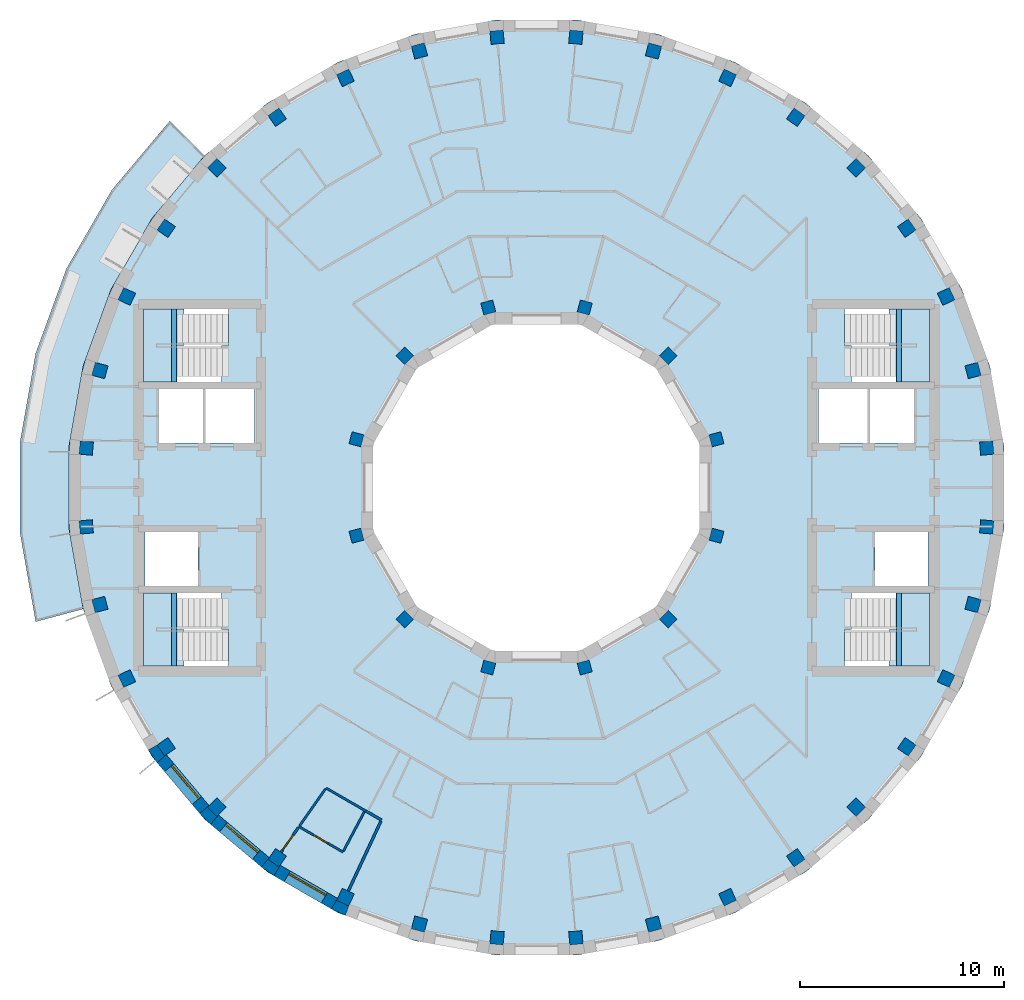
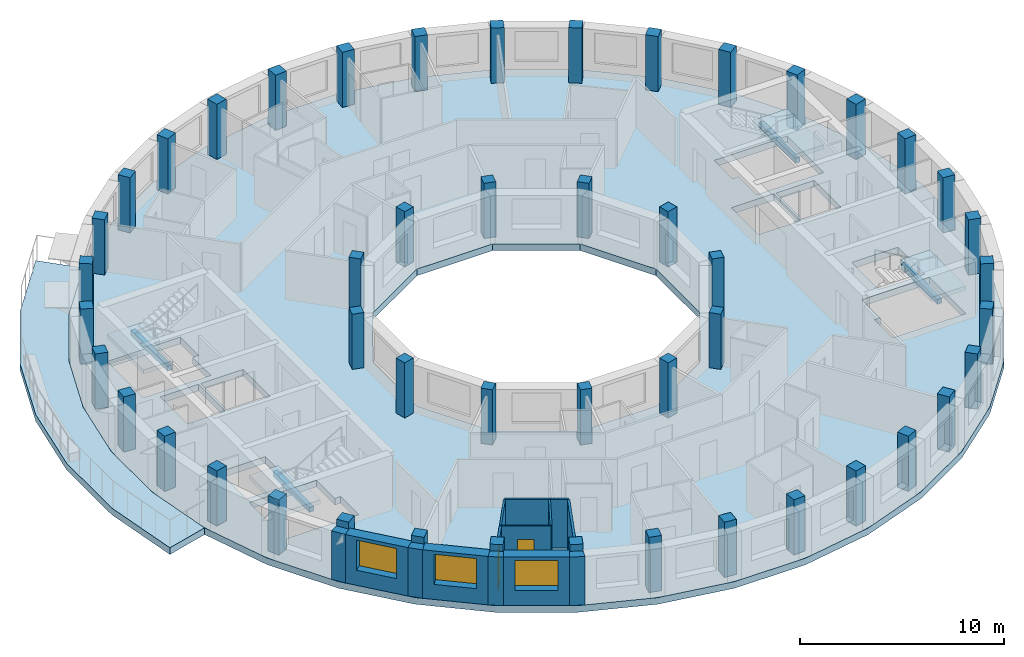
# One storey, part 1 of 10: 48 columns, 14 walls, 6 slabs, 4 beams, 3 windows, 2 doors, 5 openings, 4 elements without a shape of their own.
"""IFC4 building model written with IfcOpenShell, lengths in metres."""

from ifc_helpers import new_model, si_unit, direction, frame, frame_2d, origin, origin_2d, place, context, subcontext, project, spatial, polyline, rectangle, outline, extrude, material, layer, layer_set, material_profile, profile_set, type_object, element, fill, aggregate, save


model = new_model("IFC4")

# Units and contexts
model_context = context("Model", 3, precision=1e-05, world=origin(), true_north=direction((0.0, 1.0)))
body_context = subcontext(model_context, "Body", "Model", "MODEL_VIEW")
ifc_project = project(units=[si_unit("LENGTHUNIT", "METRE"), si_unit("AREAUNIT", "SQUARE_METRE"), si_unit("VOLUMEUNIT", "CUBIC_METRE"), si_unit("PLANEANGLEUNIT", "RADIAN"), si_unit("MASSUNIT", "GRAM", prefix="KILO")], contexts=[model_context])

# Site, building, storey
site_placement = place(None, origin())
site = spatial("IfcSite", under=ifc_project, at=site_placement, CompositionType="ELEMENT")
building_placement = place(site_placement, origin())
building = spatial("IfcBuilding", under=site, at=building_placement, Name="Saqina Gate Tower", CompositionType="ELEMENT")
storey_placement = place(building_placement, frame((0.0, 0.0, 246.199951171875)))
storey = spatial("IfcBuildingStorey", under=building, at=storey_placement, Name="L70", CompositionType="ELEMENT", Elevation=246.199951171875)

# Columns
ifc_material_1 = material(Name="Concrete C60/75", Category="concrete")
ifc_material_profile_1 = material_profile(ifc_material_1, rectangle(XDim=0.60009765625, YDim=0.60009765625, at=origin_2d()), Name="RC 600x600")
ifc_profile_set_1 = profile_set([ifc_material_profile_1], Name="Concrete C60/75")
column_type_1 = type_object("IfcColumnType", Name="STR-COL-IN-D", PredefinedType="COLUMN", material=ifc_profile_set_1)
for number, where, z_axis, x_axis, name in (
    (1, (8.821044921875, 2.363525390625, 0.0), (0.0, 0.0, 1.0), (0.965925826289, 0.258819045103, 0.0), "L70-ICL01"),
    (2, (6.45751953125, 6.45751953125, 0.0), (0.0, 0.0, 1.0), (0.707106781187, 0.707106781187, 0.0), "L70-ICL02"),
    (3, (2.363525390625, 8.821044921875, 0.0), (0.0, 0.0, 1.0), (0.258819045103, 0.965925826289, 0.0), "L70-ICL03"),
    (4, (-2.363525390625, 8.821044921875, 0.0), (0.0, 0.0, 1.0), (-0.258819045103, 0.965925826289, 0.0), "L70-ICL04"),
    (5, (-6.45751953125, 6.45751953125, 0.0), (0.0, 0.0, 1.0), (-0.707106781187, 0.707106781187, 0.0), "L70-ICL05"),
    (6, (-8.821044921875, 2.363525390625, 0.0), (0.0, 0.0, 1.0), (-0.965925826289, 0.258819045103, 0.0), "L70-ICL06"),
    (7, (-8.821044921875, -2.363525390625, 0.0), (0.0, 0.0, 1.0), (-0.965925826289, -0.258819045103, 0.0), "L70-ICL07"),
    (8, (-6.45751953125, -6.45751953125, 0.0), (0.0, 0.0, 1.0), (-0.707106781187, -0.707106781187, 0.0), "L70-ICL08"),
    (9, (-2.363525390625, -8.821044921875, 0.0), (0.0, 0.0, 1.0), (-0.258819045103, -0.965925826289, 0.0), "L70-ICL09"),
    (10, (2.363525390625, -8.821044921875, 0.0), (0.0, 0.0, 1.0), (0.258819045103, -0.965925826289, 0.0), "L70-ICL10"),
    (11, (6.45751953125, -6.45751953125, 0.0), (0.0, 0.0, 1.0), (0.707106781187, -0.707106781187, 0.0), "L70-ICL11"),
    (12, (8.821044921875, -2.363525390625, 0.0), (0.0, 0.0, 1.0), (0.965925826289, -0.258819045103, 0.0), "L70-ICL12"),
):
    element("IfcColumn", number, at=place(storey_placement, frame(where, z_axis=z_axis, x_axis=x_axis)), inside=storey, type_object=column_type_1, Name=name, PredefinedType="COLUMN", context=body_context, shape_type="SweptSolid", body=[
        extrude(rectangle(XDim=0.60009765625, YDim=0.60009765625, at=origin_2d()), origin(), (0.0, 0.0, 1.0), 3.300048828125),
    ])
ifc_material_2 = material(Name="Concrete C60/75", Category="concrete")
ifc_material_profile_2 = material_profile(ifc_material_2, rectangle(XDim=0.64990234375, YDim=0.64990234375, at=origin_2d()), Name="RC 650x650")
ifc_profile_set_2 = profile_set([ifc_material_profile_2], Name="Concrete C60/75")
column_type_2 = type_object("IfcColumnType", Name="STR-COL-OUT-D", PredefinedType="COLUMN", material=ifc_profile_set_2)
for number, where, z_axis, x_axis, name in (
    (13, (22.065673828125, 1.930419921875, 0.0), (0.0, 0.0, 1.0), (0.996194698092, 0.087155742748, 0.0), "L70-COL01"),
    (14, (21.395263671875, 5.73291015625, 0.0), (0.0, 0.0, 1.0), (0.965925826289, 0.258819045103, 0.0), "L70-COL02"),
    (15, (20.07470703125, 9.361083984375, 0.0), (0.0, 0.0, 1.0), (0.906307787037, 0.422618261741, 0.0), "L70-COL03"),
    (16, (18.144287109375, 12.704833984375, 0.0), (0.0, 0.0, 1.0), (0.819152044289, 0.573576436351, 0.0), "L70-COL04"),
    (17, (15.662353515625, 15.662353515625, 0.0), (0.0, 0.0, 1.0), (0.707106781187, 0.707106781187, 0.0), "L70-COL05"),
    (18, (12.704833984375, 18.144287109375, 0.0), (0.0, 0.0, 1.0), (0.573576436351, 0.819152044289, 0.0), "L70-COL06"),
    (19, (9.361083984375, 20.07470703125, 0.0), (0.0, 0.0, 1.0), (0.422618261741, 0.906307787037, 0.0), "L70-COL07"),
    (20, (5.73291015625, 21.395263671875, 0.0), (0.0, 0.0, 1.0), (0.258819045103, 0.965925826289, 0.0), "L70-COL08"),
    (21, (1.930419921875, 22.065673828125, 0.0), (0.0, 0.0, 1.0), (0.087155742748, 0.996194698092, 0.0), "L70-COL09"),
    (22, (-1.930419921875, 22.065673828125, 0.0), (0.0, 0.0, 1.0), (-0.087155742748, 0.996194698092, 0.0), "L70-COL10"),
    (23, (-5.73291015625, 21.395263671875, 0.0), (0.0, 0.0, 1.0), (-0.258819045103, 0.965925826289, 0.0), "L70-COL11"),
    (24, (-9.361083984375, 20.07470703125, 0.0), (0.0, 0.0, 1.0), (-0.422618261741, 0.906307787037, 0.0), "L70-COL12"),
    (25, (-12.704833984375, 18.144287109375, 0.0), (0.0, 0.0, 1.0), (-0.573576436351, 0.819152044289, 0.0), "L70-COL13"),
    (26, (-15.662353515625, 15.662353515625, 0.0), (0.0, 0.0, 1.0), (-0.707106781187, 0.707106781187, 0.0), "L70-COL14"),
    (27, (-18.144287109375, 12.704833984375, 0.0), (0.0, 0.0, 1.0), (-0.819152044289, 0.573576436351, 0.0), "L70-COL15"),
    (28, (-20.07470703125, 9.361083984375, 0.0), (0.0, 0.0, 1.0), (-0.906307787037, 0.422618261741, 0.0), "L70-COL16"),
    (29, (-21.395263671875, 5.73291015625, 0.0), (0.0, 0.0, 1.0), (-0.965925826289, 0.258819045103, 0.0), "L70-COL17"),
    (30, (-22.065673828125, 1.930419921875, 0.0), (0.0, 0.0, 1.0), (-0.996194698092, 0.087155742748, 0.0), "L70-COL18"),
    (31, (-22.065673828125, -1.930419921875, 0.0), (0.0, 0.0, 1.0), (-0.996194698092, -0.087155742748, 0.0), "L70-COL19"),
    (32, (-21.395263671875, -5.73291015625, 0.0), (0.0, 0.0, 1.0), (-0.965925826289, -0.258819045103, 0.0), "L70-COL20"),
    (33, (-20.07470703125, -9.361083984375, 0.0), (0.0, 0.0, 1.0), (-0.906307787037, -0.422618261741, 0.0), "L70-COL21"),
    (34, (-18.144287109375, -12.704833984375, 0.0), (0.0, 0.0, 1.0), (-0.819152044289, -0.573576436351, 0.0), "L70-COL22"),
    (35, (-15.662353515625, -15.662353515625, 0.0), (0.0, 0.0, 1.0), (-0.707106781187, -0.707106781187, 0.0), "L70-COL23"),
    (36, (-12.704833984375, -18.144287109375, 0.0), (0.0, 0.0, 1.0), (-0.573576436351, -0.819152044289, 0.0), "L70-COL24"),
    (37, (-9.361083984375, -20.07470703125, 0.0), (0.0, 0.0, 1.0), (-0.422618261741, -0.906307787037, 0.0), "L70-COL25"),
    (38, (-5.73291015625, -21.395263671875, 0.0), (0.0, 0.0, 1.0), (-0.258819045103, -0.965925826289, 0.0), "L70-COL26"),
    (39, (-1.930419921875, -22.065673828125, 0.0), (0.0, 0.0, 1.0), (-0.087155742748, -0.996194698092, 0.0), "L70-COL27"),
    (40, (1.930419921875, -22.065673828125, 0.0), (0.0, 0.0, 1.0), (0.087155742748, -0.996194698092, 0.0), "L70-COL28"),
    (41, (5.73291015625, -21.395263671875, 0.0), (0.0, 0.0, 1.0), (0.258819045103, -0.965925826289, 0.0), "L70-COL29"),
    (42, (9.361083984375, -20.07470703125, 0.0), (0.0, 0.0, 1.0), (0.422618261741, -0.906307787037, 0.0), "L70-COL30"),
    (43, (12.704833984375, -18.144287109375, 0.0), (0.0, 0.0, 1.0), (0.573576436351, -0.819152044289, 0.0), "L70-COL31"),
    (44, (15.662353515625, -15.662353515625, 0.0), (0.0, 0.0, 1.0), (0.707106781187, -0.707106781187, 0.0), "L70-COL32"),
    (45, (18.144287109375, -12.704833984375, 0.0), (0.0, 0.0, 1.0), (0.819152044289, -0.573576436351, 0.0), "L70-COL33"),
    (46, (20.07470703125, -9.361083984375, 0.0), (0.0, 0.0, 1.0), (0.906307787037, -0.422618261741, 0.0), "L70-COL34"),
    (47, (21.395263671875, -5.73291015625, 0.0), (0.0, 0.0, 1.0), (0.965925826289, -0.258819045103, 0.0), "L70-COL35"),
    (48, (22.065673828125, -1.930419921875, 0.0), (0.0, 0.0, 1.0), (0.996194698092, -0.087155742748, 0.0), "L70-COL36"),
):
    element("IfcColumn", number, at=place(storey_placement, frame(where, z_axis=z_axis, x_axis=x_axis)), inside=storey, type_object=column_type_2, Name=name, PredefinedType="COLUMN", context=body_context, shape_type="SweptSolid", body=[
        extrude(rectangle(XDim=0.64990234375, YDim=0.64990234375, at=origin_2d()), origin(), (0.0, 0.0, 1.0), 3.300048828125),
    ])

# Beams
ifc_material_3 = material(Name="Concrete C40/50", Category="concrete")
ifc_material_profile_3 = material_profile(ifc_material_3, rectangle(XDim=0.25, YDim=0.300048828125, at=origin_2d()), Name="STAIR LANDING BEAM")
ifc_profile_set_3 = profile_set([ifc_material_profile_3], Name="Concrete C40/50")
beam_type = type_object("IfcBeamType", Name="STAIR LANDING BEAM", PredefinedType="BEAM", material=ifc_profile_set_3)
for number, where, z_axis, x_axis, name in (
    (49, (17.77001953125, 5.175048828125, 1.25), (0.0, 1.0, 0.0), (-1.0, 0.0, 0.0), "EXIT STAIR 1 LANDING BEAM"),
    (50, (17.77001953125, -8.75, 1.25), (0.0, 1.0, 0.0), (-1.0, 0.0, 0.0), "EXIT STAIR 2 LANDING BEAM"),
    (51, (-17.77001953125, 5.175048828125, 1.25), (0.0, 1.0, 0.0), (-1.0, 0.0, 0.0), "EXIT STAIR 3 LANDING BEAM"),
    (52, (-17.77001953125, -8.75, 1.25), (0.0, 1.0, 0.0), (-1.0, 0.0, 0.0), "EXIT STAIR 4 LANDING BEAM"),
):
    element("IfcBeam", number, at=place(storey_placement, frame(where, z_axis=z_axis, x_axis=x_axis)), inside=storey, type_object=beam_type, Name=name, PredefinedType="BEAM", context=body_context, shape_type="SweptSolid", body=[
        extrude(rectangle(XDim=0.25, YDim=0.300048828125, at=origin_2d()), origin(), (0.0, 0.0, 1.0), 3.574951171875),
    ])

# Stair, slab
ifc_material_4 = material(Name="Concrete C40/50", Category="concrete")
stair_type = type_object("IfcStairType", Name="EXIT STAIR", PredefinedType="HALF_TURN_STAIR", material=ifc_material_4)
stair_1_placement = place(storey_placement, origin())
stair_1 = element("IfcStair", 53, at=stair_1_placement, inside=storey, type_object=stair_type, Name="EXIT STAIR 1", PredefinedType="HALF_TURN_STAIR")
ifc_material_5 = material(Name="Concrete C40/50", Category="concrete")
ifc_layer_1 = layer(ifc_material_5, 0.25)
ifc_layer_set_1 = layer_set([ifc_layer_1], Name="Concrete C40/50")
slab_type_1 = type_object("IfcSlabType", Name="EXIT STAIR LANDING", PredefinedType="LANDING", material=ifc_layer_set_1)
slab_1_placement = place(storey_placement, frame((0.0, 0.0, 1.400146484375)))
slab_1 = element("IfcSlab", 54, at=slab_1_placement, type_object=slab_type_1, Name="EXIT STAIR 1 LANDING 1", PredefinedType="LANDING", context=body_context, shape_type="SweptSolid", body=[
    extrude(outline(polyline([(19.25, 8.75), (19.25, 5.175048828125), (17.614990234375, 5.175048828125), (17.614990234375, 6.96240234375), (17.284423828125, 6.96240234375), (17.284423828125, 8.75), (17.614990234375, 8.75), (17.6201171875, 8.75), (19.25, 8.75)])), origin(), (0.0, 0.0, 1.0), 0.25),
])
aggregate(stair_1, [slab_1])

stair_2_placement = place(storey_placement, origin())
stair_2 = element("IfcStair", 55, at=stair_2_placement, inside=storey, type_object=stair_type, Name="EXIT STAIR 2", PredefinedType="HALF_TURN_STAIR")
slab_2_placement = place(storey_placement, frame((0.0, 0.0, 1.400146484375)))
slab_2 = element("IfcSlab", 56, at=slab_2_placement, type_object=slab_type_1, Name="EXIT STAIR 2 LANDING 1", PredefinedType="LANDING", context=body_context, shape_type="SweptSolid", body=[
    extrude(outline(polyline([(17.284423828125, -8.75), (17.284423828125, -6.96240234375), (17.614990234375, -6.96240234375), (17.614990234375, -5.175048828125), (19.25, -5.175048828125), (19.25, -8.75), (17.6201171875, -8.75), (17.614990234375, -8.75), (17.284423828125, -8.75)])), origin(), (0.0, 0.0, 1.0), 0.25),
])
aggregate(stair_2, [slab_2])

stair_3_placement = place(storey_placement, origin())
stair_3 = element("IfcStair", 57, at=stair_3_placement, inside=storey, type_object=stair_type, Name="EXIT STAIR 3", PredefinedType="HALF_TURN_STAIR")
slab_3_placement = place(storey_placement, frame((0.0, 0.0, 1.400146484375)))
slab_3 = element("IfcSlab", 58, at=slab_3_placement, type_object=slab_type_1, Name="EXIT STAIR 3 LANDING 1", PredefinedType="LANDING", context=body_context, shape_type="SweptSolid", body=[
    extrude(outline(polyline([(-17.614990234375, 5.175048828125), (-19.25, 5.175048828125), (-19.25, 8.75), (-17.6201171875, 8.75), (-17.614990234375, 8.75), (-17.284423828125, 8.75), (-17.284423828125, 6.96240234375), (-17.614990234375, 6.96240234375), (-17.614990234375, 5.175048828125)])), origin(), (0.0, 0.0, 1.0), 0.25),
])
aggregate(stair_3, [slab_3])

stair_4_placement = place(storey_placement, origin())
stair_4 = element("IfcStair", 59, at=stair_4_placement, inside=storey, type_object=stair_type, Name="EXIT STAIR 4", PredefinedType="HALF_TURN_STAIR")
slab_4_placement = place(storey_placement, frame((0.0, 0.0, 1.400146484375)))
slab_4 = element("IfcSlab", 60, at=slab_4_placement, type_object=slab_type_1, Name="EXIT STAIR 4 LANDING 1", PredefinedType="LANDING", context=body_context, shape_type="SweptSolid", body=[
    extrude(outline(polyline([(-17.284423828125, -6.96240234375), (-17.284423828125, -8.75), (-17.614990234375, -8.75), (-17.6201171875, -8.75), (-19.25, -8.75), (-19.25, -5.175048828125), (-17.614990234375, -5.175048828125), (-17.614990234375, -6.96240234375), (-17.284423828125, -6.96240234375)])), origin(), (0.0, 0.0, 1.0), 0.25),
])
aggregate(stair_4, [slab_4])

# Slabs
ifc_material_6 = material(Name="Concrete C40/50", Category="concrete")
ifc_layer_2 = layer(ifc_material_6, 0.39990234375)
ifc_layer_set_2 = layer_set([ifc_layer_2], Name="Concrete C40/50")
slab_type_2 = type_object("IfcSlabType", Name="STR-POST-TENSIONED FLAT PLATE FLOOR-400", PredefinedType="FLOOR", material=ifc_layer_set_2)
slab_5_placement = place(storey_placement, frame((0.0, 0.0, -0.39990234375)))
element("IfcSlab", 61, at=slab_5_placement, inside=storey, type_object=slab_type_2, Name="L70-SLB01", PredefinedType="FLOOR", context=body_context, shape_type="SweptSolid", body=[
    extrude(outline(polyline([(22.21630859375, -5.952880859375), (22.91259765625, -2.004638671875), (22.91259765625, 2.004638671875), (22.21630859375, 5.952880859375), (20.844970703125, 9.72021484375), (18.840576171875, 13.192138671875), (16.263427734375, 16.263427734375), (13.192138671875, 18.840576171875), (9.72021484375, 20.844970703125), (5.952880859375, 22.21630859375), (2.004638671875, 22.91259765625), (-2.004638671875, 22.91259765625), (-5.952880859375, 22.21630859375), (-9.72021484375, 20.844970703125), (-13.192138671875, 18.840576171875), (-16.263427734375, 16.263427734375), (-18.840576171875, 13.192138671875), (-20.844970703125, 9.72021484375), (-22.21630859375, 5.952880859375), (-22.91259765625, 2.004638671875), (-22.91259765625, -2.004638671875), (-22.21630859375, -5.952880859375), (-20.844970703125, -9.72021484375), (-18.840576171875, -13.192138671875), (-16.263427734375, -16.263427734375), (-13.192138671875, -18.840576171875), (-9.72021484375, -20.844970703125), (-5.952880859375, -22.21630859375), (-2.004638671875, -22.91259765625), (2.004638671875, -22.91259765625), (5.952880859375, -22.21630859375), (9.72021484375, -20.844970703125), (13.192138671875, -18.840576171875), (16.263427734375, -16.263427734375), (18.840576171875, -13.192138671875), (20.844970703125, -9.72021484375), (22.21630859375, -5.952880859375)]), holes=[polyline([(2.1435546875, 8.0), (5.8564453125, 5.8564453125), (8.0, 2.1435546875), (8.0, -2.1435546875), (5.8564453125, -5.8564453125), (2.1435546875, -8.0), (-2.1435546875, -8.0), (-5.8564453125, -5.8564453125), (-8.0, -2.1435546875), (-8.0, 2.1435546875), (-5.8564453125, 5.8564453125), (-2.1435546875, 8.0), (2.1435546875, 8.0)]), polyline([(-15.10498046875, -8.75), (-19.25, -8.75), (-19.25, -6.96240234375), (-19.25, -5.175048828125), (-15.435546875, -5.175048828125), (-15.435546875, -6.96240234375), (-15.10498046875, -6.96240234375), (-15.10498046875, -8.75)]), polyline([(-16.590087890625, -2.175048828125), (-16.590087890625, -4.824951171875), (-19.18994140625, -4.824951171875), (-19.18994140625, -2.175048828125), (-16.590087890625, -2.175048828125)]), polyline([(-16.340087890625, 4.824951171875), (-16.340087890625, 2.175048828125), (-18.5, 2.175048828125), (-18.5, 4.824951171875), (-16.340087890625, 4.824951171875)]), polyline([(-13.81005859375, 4.824951171875), (-13.81005859375, 2.175048828125), (-16.219970703125, 2.175048828125), (-16.219970703125, 4.824951171875), (-13.81005859375, 4.824951171875)]), polyline([(-19.25, 6.96240234375), (-19.25, 8.75), (-15.10498046875, 8.75), (-15.10498046875, 6.96240234375), (-15.435546875, 6.96240234375), (-15.435546875, 5.175048828125), (-19.25, 5.175048828125), (-19.25, 6.96240234375)]), polyline([(15.10498046875, -8.75), (15.10498046875, -6.96240234375), (15.435546875, -6.96240234375), (15.435546875, -5.175048828125), (19.25, -5.175048828125), (19.25, -6.96240234375), (19.25, -8.75), (15.10498046875, -8.75)]), polyline([(19.18994140625, -2.175048828125), (19.18994140625, -4.824951171875), (16.590087890625, -4.824951171875), (16.590087890625, -2.175048828125), (19.18994140625, -2.175048828125)]), polyline([(16.219970703125, 4.824951171875), (16.219970703125, 2.175048828125), (13.81005859375, 2.175048828125), (13.81005859375, 4.824951171875), (16.219970703125, 4.824951171875)]), polyline([(18.5, 4.824951171875), (18.5, 2.175048828125), (16.340087890625, 2.175048828125), (16.340087890625, 4.824951171875), (18.5, 4.824951171875)]), polyline([(15.435546875, 6.96240234375), (15.10498046875, 6.96240234375), (15.10498046875, 8.75), (19.25, 8.75), (19.25, 6.96240234375), (19.25, 5.175048828125), (15.435546875, 5.175048828125), (15.435546875, 6.96240234375)])]), origin(), (0.0, 0.0, 1.0), 0.39990234375),
])
ifc_material_7 = material(Name="Concrete C40/50", Category="concrete")
ifc_layer_3 = layer(ifc_material_7, 0.39990234375)
ifc_layer_set_3 = layer_set([ifc_layer_3], Name="Concrete C40/50")
slab_type_3 = type_object("IfcSlabType", Name="STR-POST-TENSIONED FLAT PLATE TERRACE-400", PredefinedType="FLOOR", material=ifc_layer_set_3)
slab_6_placement = place(storey_placement, frame((0.0, 0.0, -0.39990234375)))
element("IfcSlab", 62, at=slab_6_placement, inside=storey, type_object=slab_type_3, Name="L70-TRS01", PredefinedType="FLOOR", context=body_context, shape_type="SweptSolid", body=[
    extrude(outline(polyline([(-16.263427734375, 16.263427734375), (-18.840576171875, 13.192138671875), (-20.844970703125, 9.72021484375), (-22.21630859375, 5.952880859375), (-22.91259765625, 2.004638671875), (-22.91259765625, -2.004638671875), (-22.21630859375, -5.952880859375), (-24.54345703125, -6.576416015625), (-25.3125, -2.214599609375), (-25.3125, 2.214599609375), (-24.54345703125, 6.576416015625), (-23.028564453125, 10.73828125), (-20.81396484375, 14.57421875), (-17.967041015625, 17.967041015625), (-16.263427734375, 16.263427734375)])), origin(), (0.0, 0.0, 1.0), 0.39990234375),
])

# Walls
ifc_material_8 = material(Name="Brick masonry (buff)", Category="masonry")
wall_type_1 = type_object("IfcWallType", Name="BRICK PIER COPING BUFF", PredefinedType="SOLIDWALL", material=ifc_material_8)
wall_1_placement = place(storey_placement, origin())
element("IfcWall", 63, at=wall_1_placement, inside=storey, type_object=wall_type_1, Name="Pier cap L70 column 22", PredefinedType="SOLIDWALL", context=body_context, shape_type="SweptSolid", body=[
    extrude(outline(polyline([(-19.02978515625, -12.8642578125), (-18.59716796875, -13.482421875), (-18.137451171875, -13.0966796875), (-18.22412109375, -13.157470703125), (-18.596923828125, -12.625), (-18.51025390625, -12.564208984375), (-19.02978515625, -12.8642578125)])), origin(), (0.0, 0.0, 1.0), 2.900146484375),
])
wall_2_placement = place(storey_placement, origin())
element("IfcWall", 64, at=wall_2_placement, inside=storey, type_object=wall_type_1, Name="Pier cap L70 column 23", PredefinedType="SOLIDWALL", context=body_context, shape_type="SweptSolid", body=[
    extrude(outline(polyline([(-15.973388671875, -16.5068359375), (-15.587646484375, -16.04736328125), (-15.662353515625, -16.1220703125), (-16.1220703125, -15.662353515625), (-16.04736328125, -15.587646484375), (-16.5068359375, -15.973388671875), (-15.973388671875, -16.5068359375)])), origin(), (0.0, 0.0, 1.0), 2.900146484375),
])
wall_3_placement = place(storey_placement, origin())
element("IfcWall", 65, at=wall_3_placement, inside=storey, type_object=wall_type_1, Name="Pier cap L70 column 24", PredefinedType="SOLIDWALL", context=body_context, shape_type="SweptSolid", body=[
    extrude(outline(polyline([(-12.8642578125, -19.02978515625), (-12.564208984375, -18.51025390625), (-12.625, -18.596923828125), (-13.157470703125, -18.22412109375), (-13.0966796875, -18.137451171875), (-13.482421875, -18.59716796875), (-12.8642578125, -19.02978515625)])), origin(), (0.0, 0.0, 1.0), 2.900146484375),
])
wall_4_placement = place(storey_placement, origin())
element("IfcWall", 66, at=wall_4_placement, inside=storey, type_object=wall_type_1, Name="Pier cap L70 column 25", PredefinedType="SOLIDWALL", context=body_context, shape_type="SweptSolid", body=[
    extrude(outline(polyline([(-10.048095703125, -20.65576171875), (-9.3642578125, -20.974609375), (-9.1591796875, -20.410888671875), (-9.203857421875, -20.506591796875), (-9.79296875, -20.23193359375), (-9.748291015625, -20.135986328125), (-10.048095703125, -20.65576171875)])), origin(), (0.0, 0.0, 1.0), 2.900146484375),
])

# Wall, opening, window
ifc_material_9 = material(Name="Brick masonry (buff)", Category="masonry")
ifc_layer_4 = layer(ifc_material_9, 0.60009765625)
ifc_layer_set_4 = layer_set([ifc_layer_4], Name="FW-BRICK-BUFF")
wall_type_2 = type_object("IfcWallType", Name="FW-BRICK-BUFF", PredefinedType="SOLIDWALL", material=ifc_layer_set_4)
wall_5_placement = place(storey_placement, frame((-18.3671875, -13.28955078125, 0.0), z_axis=(0.0, 0.0, 1.0), x_axis=(0.64277291405, -0.766056773982, 0.0)))
wall_5 = element("IfcWall", 67, at=wall_5_placement, inside=storey, type_object=wall_type_2, Name="Facade wall L70 facet 22", PredefinedType="SOLIDWALL", context=body_context, shape_type="SweptSolid", body=[
    extrude(rectangle(XDim=3.251708984375, YDim=0.60009765625, at=frame_2d((1.6259765625, 0.0))), origin(), (0.0, 0.0, 1.0), 2.900146484375),
])
opening_1_placement = place(wall_5_placement, frame((0.57568359375, 0.0, 0.89990234375)))
opening_1 = element("IfcOpeningElement", 68, at=opening_1_placement, cuts=wall_5, Name="Opening G20-W13", PredefinedType="OPENING", context=body_context, shape_type="SweptSolid", body=[
    extrude(rectangle(XDim=2.10009765625, YDim=1.800048828125, at=frame_2d((1.050048828125, 0.89990234375))), frame((0.0, 0.31201171875, 0.0), z_axis=(0.0, -1.0, 0.0), x_axis=(1.0, 0.0, 0.0)), (0.0, 0.0, 1.0), 0.6240234375),
])
ifc_material_10 = material(Name="Aluminium glazing", Category="aluminium")
window_type = type_object("IfcWindowType", Name="WN-D", PartitioningType="SINGLE_PANEL", PredefinedType="WINDOW", material=ifc_material_10)
window_1_placement = place(opening_1_placement, origin())
window_1 = element("IfcWindow", 69, at=window_1_placement, inside=storey, type_object=window_type, Name="Window L70 facet 22", OverallHeight=1.800048828125, OverallWidth=2.10009765625, PartitioningType="SINGLE_PANEL", PredefinedType="WINDOW", context=body_context, shape_type="SweptSolid", body=[
    extrude(rectangle(XDim=2.10009765625, YDim=1.800048828125, at=frame_2d((1.050048828125, 0.89990234375))), frame((0.0, 0.179931640625, 0.0), z_axis=(0.0, -1.0, 0.0), x_axis=(1.0, 0.0, 0.0)), (0.0, 0.0, 1.0), 0.06005859375),
])
fill(opening_1, window_1)

wall_6_placement = place(storey_placement, frame((-15.780517578125, -16.277099609375, 0.0), z_axis=(0.0, 0.0, 1.0), x_axis=(0.766056773982, -0.64277291405, 0.0)))
wall_6 = element("IfcWall", 70, at=wall_6_placement, inside=storey, type_object=wall_type_2, Name="Facade wall L70 facet 23", PredefinedType="SOLIDWALL", context=body_context, shape_type="SweptSolid", body=[
    extrude(rectangle(XDim=3.251708984375, YDim=0.60009765625, at=frame_2d((1.6259765625, 0.0))), origin(), (0.0, 0.0, 1.0), 2.900146484375),
])
opening_2_placement = place(wall_6_placement, frame((0.57568359375, 0.0, 0.89990234375)))
opening_2 = element("IfcOpeningElement", 71, at=opening_2_placement, cuts=wall_6, Name="Opening G20-W14", PredefinedType="OPENING", context=body_context, shape_type="SweptSolid", body=[
    extrude(rectangle(XDim=2.10009765625, YDim=1.800048828125, at=frame_2d((1.050048828125, 0.89990234375))), frame((0.0, 0.31201171875, 0.0), z_axis=(0.0, -1.0, 0.0), x_axis=(1.0, 0.0, 0.0)), (0.0, 0.0, 1.0), 0.6240234375),
])
window_2_placement = place(opening_2_placement, origin())
window_2 = element("IfcWindow", 72, at=window_2_placement, inside=storey, type_object=window_type, Name="Window L70 facet 23", OverallHeight=1.800048828125, OverallWidth=2.10009765625, PartitioningType="SINGLE_PANEL", PredefinedType="WINDOW", context=body_context, shape_type="SweptSolid", body=[
    extrude(rectangle(XDim=2.10009765625, YDim=1.800048828125, at=frame_2d((1.050048828125, 0.89990234375))), frame((0.0, 0.179931640625, 0.0), z_axis=(0.0, -1.0, 0.0), x_axis=(1.0, 0.0, 0.0)), (0.0, 0.0, 1.0), 0.06005859375),
])
fill(opening_2, window_2)

wall_7_placement = place(storey_placement, frame((-12.71435546875, -18.77001953125, 0.0), z_axis=(0.0, 0.0, 1.0), x_axis=(0.866016800201, -0.500014901547, 0.0)))
wall_7 = element("IfcWall", 73, at=wall_7_placement, inside=storey, type_object=wall_type_2, Name="Facade wall L70 facet 24", PredefinedType="SOLIDWALL", context=body_context, shape_type="SweptSolid", body=[
    extrude(rectangle(XDim=3.251953125, YDim=0.60009765625, at=frame_2d((1.6259765625, 0.0))), origin(), (0.0, 0.0, 1.0), 2.900146484375),
])
opening_3_placement = place(wall_7_placement, frame((0.57568359375, 0.0, 0.89990234375)))
opening_3 = element("IfcOpeningElement", 74, at=opening_3_placement, cuts=wall_7, Name="Opening G20-W15", PredefinedType="OPENING", context=body_context, shape_type="SweptSolid", body=[
    extrude(rectangle(XDim=2.10009765625, YDim=1.800048828125, at=frame_2d((1.050048828125, 0.89990234375))), frame((0.0, 0.31201171875, 0.0), z_axis=(0.0, -1.0, 0.0), x_axis=(1.0, 0.0, 0.0)), (0.0, 0.0, 1.0), 0.6240234375),
])
window_3_placement = place(opening_3_placement, origin())
window_3 = element("IfcWindow", 75, at=window_3_placement, inside=storey, type_object=window_type, Name="Window L70 facet 24", OverallHeight=1.800048828125, OverallWidth=2.10009765625, PartitioningType="SINGLE_PANEL", PredefinedType="WINDOW", context=body_context, shape_type="SweptSolid", body=[
    extrude(rectangle(XDim=2.10009765625, YDim=1.800048828125, at=frame_2d((1.050048828125, 0.89990234375))), frame((0.0, 0.179931640625, 0.0), z_axis=(0.0, -1.0, 0.0), x_axis=(1.0, 0.0, 0.0)), (0.0, 0.0, 1.0), 0.06005859375),
])
fill(opening_3, window_3)

# Wall, opening, door
ifc_material_11 = material(Name="Gypsum board on steel studs, 100 mm", Category="steel")
ifc_layer_5 = layer(ifc_material_11, 0.10009765625)
ifc_layer_set_5 = layer_set([ifc_layer_5], Name="PARTITION 100")
wall_type_3 = type_object("IfcWallType", Name="PARTITION 100", PredefinedType="PARTITIONING", material=ifc_layer_set_5)
wall_8_placement = place(storey_placement, frame((-11.637939453125, -16.6201171875, 0.0), z_axis=(0.0, 0.0, 1.0), x_axis=(0.865981260576, -0.500076450486, 0.0)))
wall_8 = element("IfcWall", 76, at=wall_8_placement, inside=storey, type_object=wall_type_3, Name="PARTITION PW3-16", PredefinedType="PARTITIONING", context=body_context, shape_type="SweptSolid", body=[
    extrude(rectangle(XDim=2.4873046875, YDim=0.10009765625, at=frame_2d((1.24365234375, 0.0))), origin(), (0.0, 0.0, 1.0), 2.900146484375),
])
opening_4_placement = place(wall_8_placement, frame((0.84375, 0.0, 0.0)))
opening_4 = element("IfcOpeningElement", 77, at=opening_4_placement, cuts=wall_8, Name="Opening G20-D24", PredefinedType="OPENING", context=body_context, shape_type="SweptSolid", body=[
    extrude(rectangle(XDim=0.800048828125, YDim=2.10009765625, at=frame_2d((0.39990234375, 1.050048828125))), frame((0.0, 0.06201171875, 0.0), z_axis=(0.0, -1.0, 0.0), x_axis=(1.0, 0.0, 0.0)), (0.0, 0.0, 1.0), 0.1240234375),
])
ifc_material_12 = material(Name="Timber door leaf, 800 mm", Category="wood")
door_type_1 = type_object("IfcDoorType", Name="DOOR 800 TIMBER", OperationType="SINGLE_SWING_LEFT", PredefinedType="DOOR", material=ifc_material_12)
door_1_placement = place(opening_4_placement, frame((0.800048828125, 0.0, 0.0), z_axis=(0.0, 0.0, 1.0), x_axis=(-1.0, 0.0, 0.0)))
door_1 = element("IfcDoor", 78, at=door_1_placement, inside=storey, type_object=door_type_1, Name="DOOR G20-D24", OperationType="SINGLE_SWING_RIGHT", OverallHeight=2.10009765625, OverallWidth=0.800048828125, PredefinedType="DOOR", context=body_context, shape_type="SweptSolid", body=[
    extrude(rectangle(XDim=0.800048828125, YDim=2.10009765625, at=frame_2d((0.39990234375, 1.050048828125))), frame((0.0, 0.02490234375, 0.0), z_axis=(0.0, -1.0, 0.0), x_axis=(1.0, 0.0, 0.0)), (0.0, 0.0, 1.0), 0.050048828125),
])
fill(opening_4, door_1)

# Walls
wall_9_placement = place(storey_placement, frame((-10.311279296875, -14.72998046875, 0.0), z_axis=(0.0, 0.0, 1.0), x_axis=(0.866073680794, -0.499916372443, 0.0)))
element("IfcWall", 79, at=wall_9_placement, inside=storey, type_object=wall_type_3, Name="PARTITION PW3-17", PredefinedType="PARTITIONING", context=body_context, shape_type="SweptSolid", body=[
    extrude(rectangle(XDim=2.25244140625, YDim=0.10009765625, at=frame_2d((1.126220703125, 0.0))), origin(), (0.0, 0.0, 1.0), 2.900146484375),
])
wall_10_placement = place(storey_placement, frame((-11.609375, -16.5791015625, 0.0), z_axis=(0.0, 0.0, 1.0), x_axis=(0.574033341126, 0.818831926146, 0.0)))
element("IfcWall", 80, at=wall_10_placement, inside=storey, type_object=wall_type_3, Name="PARTITION PW3-42", PredefinedType="PARTITIONING", context=body_context, shape_type="SweptSolid", body=[
    extrude(rectangle(XDim=2.208984375, YDim=0.10009765625, at=frame_2d((1.1044921875, 0.0))), origin(), (0.0, 0.0, 1.0), 2.900146484375),
])
wall_11_placement = place(storey_placement, frame((-9.46044921875, -17.81982421875, 0.0), z_axis=(0.0, 0.0, 1.0), x_axis=(0.469111743442, 0.883138818174, 0.0)))
element("IfcWall", 81, at=wall_11_placement, inside=storey, type_object=wall_type_3, Name="PARTITION PW3-43", PredefinedType="PARTITIONING", context=body_context, shape_type="SweptSolid", body=[
    extrude(rectangle(XDim=2.189453125, YDim=0.10009765625, at=frame_2d((1.0947265625, 0.0))), origin(), (0.0, 0.0, 1.0), 2.900146484375),
])
ifc_material_13 = material(Name="Gypsum board on steel studs, 125 mm, fire rated", Category="steel")
ifc_layer_6 = layer(ifc_material_13, 0.125)
ifc_layer_set_6 = layer_set([ifc_layer_6], Name="PARTITION EI 30 125")
wall_type_4 = type_object("IfcWallType", Name="PARTITION EI 30 125", PredefinedType="PARTITIONING", material=ifc_layer_set_6)
wall_12_placement = place(storey_placement, frame((-8.360595703125, -15.85595703125, 0.0), z_axis=(0.0, 0.0, 1.0), x_axis=(0.865838315616, -0.500323906295, 0.0)))
element("IfcWall", 82, at=wall_12_placement, inside=storey, type_object=wall_type_4, Name="PARTITION PW1-12", PredefinedType="PARTITIONING", context=body_context, shape_type="SweptSolid", body=[
    extrude(rectangle(XDim=0.87841796875, YDim=0.125, at=frame_2d((0.439208984375, 0.0))), origin(), (0.0, 0.0, 1.0), 2.900146484375),
])

# Wall, opening, door
wall_13_placement = place(storey_placement, frame((-12.5126953125, -17.86962890625, 0.0), z_axis=(0.0, 0.0, 1.0), x_axis=(0.573384599987, 0.819286336086, 0.0)))
wall_13 = element("IfcWall", 83, at=wall_13_placement, inside=storey, type_object=wall_type_4, Name="PARTITION PW1-33", PredefinedType="PARTITIONING", context=body_context, shape_type="SweptSolid", body=[
    extrude(rectangle(XDim=1.475341796875, YDim=0.125, at=frame_2d((0.73779296875, 0.0))), origin(), (0.0, 0.0, 1.0), 2.900146484375),
])
opening_5_placement = place(wall_13_placement, frame((0.122802734375, 0.0, 0.0)))
opening_5 = element("IfcOpeningElement", 84, at=opening_5_placement, cuts=wall_13, Name="Opening G20-D23", PredefinedType="OPENING", context=body_context, shape_type="SweptSolid", body=[
    extrude(rectangle(XDim=0.89990234375, YDim=2.10009765625, at=frame_2d((0.449951171875, 1.050048828125))), frame((0.0, 0.074462890625, 0.0), z_axis=(0.0, -1.0, 0.0), x_axis=(1.0, 0.0, 0.0)), (0.0, 0.0, 1.0), 0.14892578125),
])
ifc_material_14 = material(Name="Fire door leaf EI 30, 900 mm")
door_type_2 = type_object("IfcDoorType", Name="DOOR 900 EI 30", OperationType="SINGLE_SWING_LEFT", PredefinedType="DOOR", material=ifc_material_14)
door_2_placement = place(opening_5_placement, origin())
door_2 = element("IfcDoor", 85, at=door_2_placement, inside=storey, type_object=door_type_2, Name="DOOR G20-D23", OperationType="SINGLE_SWING_LEFT", OverallHeight=2.10009765625, OverallWidth=0.89990234375, PredefinedType="DOOR", context=body_context, shape_type="SweptSolid", body=[
    extrude(rectangle(XDim=0.89990234375, YDim=2.10009765625, at=frame_2d((0.449951171875, 1.050048828125))), frame((0.0, 0.02490234375, 0.0), z_axis=(0.0, -1.0, 0.0), x_axis=(1.0, 0.0, 0.0)), (0.0, 0.0, 1.0), 0.050048828125),
])
fill(opening_5, door_2)

# Wall
wall_14_placement = place(storey_placement, frame((-9.22021484375, -19.770751953125, 0.0), z_axis=(0.0, 0.0, 1.0), x_axis=(0.422998854506, 0.906130216408, 0.0)))
element("IfcWall", 86, at=wall_14_placement, inside=storey, type_object=wall_type_4, Name="PARTITION PW1-34", PredefinedType="PARTITIONING", context=body_context, shape_type="SweptSolid", body=[
    extrude(rectangle(XDim=3.771728515625, YDim=0.125, at=frame_2d((1.8857421875, 0.0))), origin(), (0.0, 0.0, 1.0), 2.900146484375),
])

save(model, "model.ifc")
